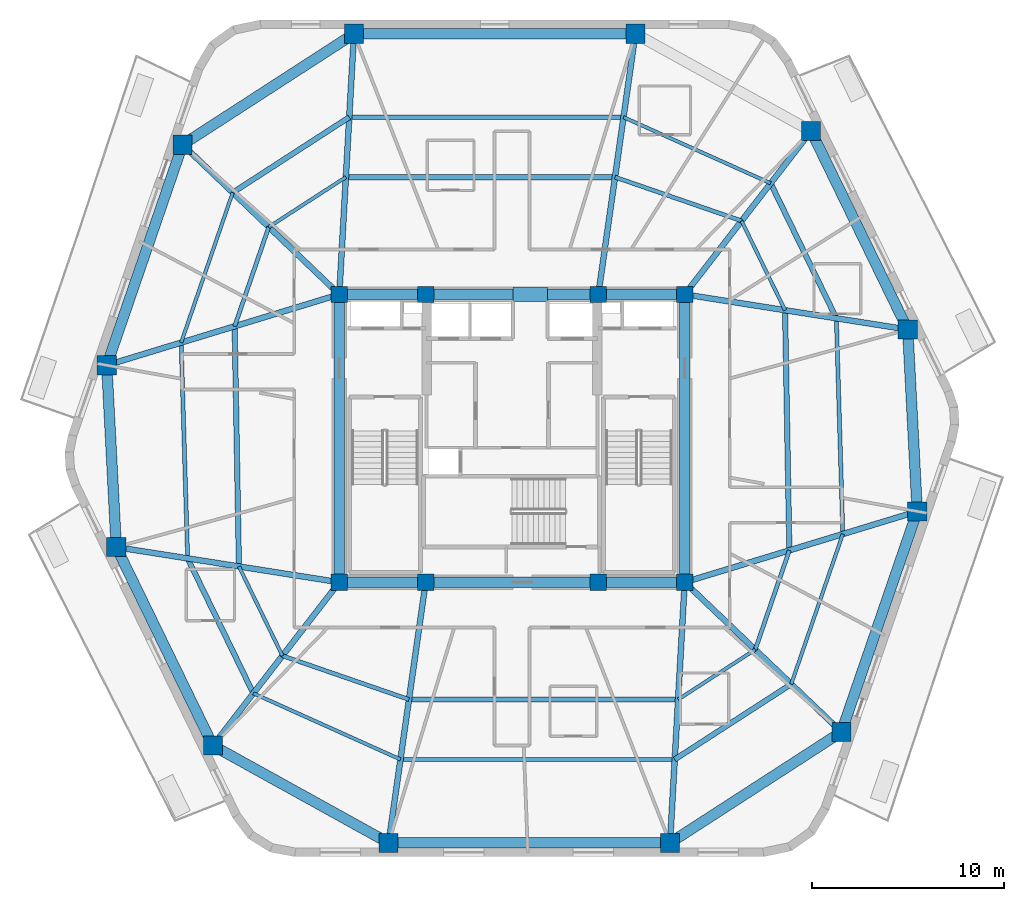
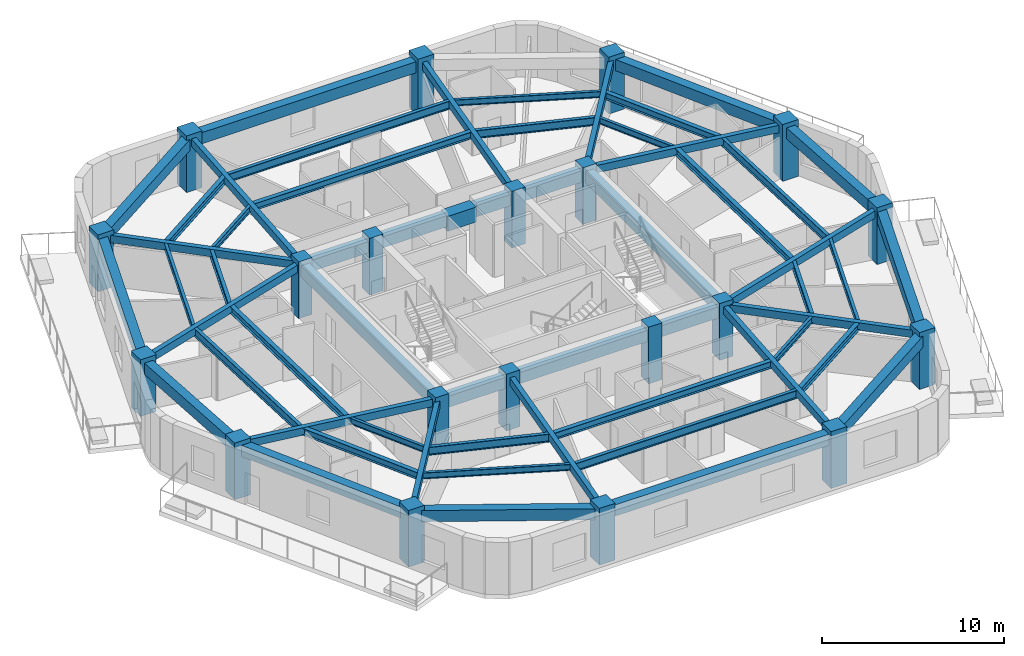
# One storey, part 1 of 9: 56 beams, 20 columns.
"""IFC4 building model written with IfcOpenShell, lengths in metres."""

from ifc_helpers import new_model, si_unit, direction, frame, origin, origin_2d, place, context, subcontext, project, spatial, rectangle, i_section, extrude, material, material_profile, profile_set, type_object, element, save


model = new_model("IFC4")

# Units and contexts
model_context = context("Model", 3, precision=1e-05, world=origin(), true_north=direction((0.0, 1.0)))
body_context = subcontext(model_context, "Body", "Model", "MODEL_VIEW")
ifc_project = project(units=[si_unit("LENGTHUNIT", "METRE"), si_unit("AREAUNIT", "SQUARE_METRE"), si_unit("VOLUMEUNIT", "CUBIC_METRE"), si_unit("PLANEANGLEUNIT", "RADIAN"), si_unit("MASSUNIT", "GRAM", prefix="KILO")], contexts=[model_context])

# Site, building, storey
site_placement = place(None, origin())
site = spatial("IfcSite", under=ifc_project, at=site_placement, CompositionType="ELEMENT")
building_placement = place(site_placement, origin())
building = spatial("IfcBuilding", under=site, at=building_placement, Name="Kilnhurst Terrace Hotel", CompositionType="ELEMENT")
storey_placement = place(building_placement, frame((0.0, 0.0, 236.89990234375)))
storey = spatial("IfcBuildingStorey", under=building, at=storey_placement, Name="L59", CompositionType="ELEMENT", Elevation=236.89990234375)

# Columns
ifc_material_1 = material(Name="Concrete C60/75", Category="concrete")
ifc_material_profile_1 = material_profile(ifc_material_1, rectangle(XDim=1.0, YDim=1.0, at=origin_2d()), Name="RC1000X1000")
ifc_profile_set_1 = profile_set([ifc_material_profile_1], Name="Concrete C60/75")
column_type_1 = type_object("IfcColumnType", Name="COL-RC-1000", PredefinedType="COLUMN", material=ifc_profile_set_1)
for number, where, z_axis, x_axis, name in (
    (1, (-6.429931640625, -21.080078125, 0.0), (0.0, 0.0, 1.0), (1.0, 0.0, 0.0), "L59 Structural Column PC-F11"),
    (2, (8.236083984375, -21.080078125, 0.0), (0.0, 0.0, 1.0), (1.0, 0.0, 0.0), "L59 Structural Column PC-F12"),
    (3, (17.166015625, -15.303955078125, 0.0), (0.0, 0.0, 1.0), (1.0, 0.0, 0.0), "L59 Structural Column PC-F21"),
    (4, (21.117919921875, -3.806884765625, 0.0), (0.0, 0.0, 1.0), (1.0, 0.0, 0.0), "L59 Structural Column PC-F22"),
    (5, (20.6220703125, 5.669921875, 0.0), (0.0, 0.0, 1.0), (1.0, 0.0, 0.0), "L59 Structural Column PC-F31"),
    (6, (15.5869140625, 16.012939453125, 0.0), (0.0, 0.0, 1.0), (1.0, 0.0, 0.0), "L59 Structural Column PC-F32"),
    (7, (6.429931640625, 21.080078125, 0.0), (0.0, 0.0, 1.0), (1.0, 0.0, 0.0), "L59 Structural Column PC-F41"),
    (8, (-8.236083984375, 21.080078125, 0.0), (0.0, 0.0, 1.0), (1.0, 0.0, 0.0), "L59 Structural Column PC-F42"),
    (9, (-17.166015625, 15.303955078125, 0.0), (0.0, 0.0, 1.0), (1.0, 0.0, 0.0), "L59 Structural Column PC-F51"),
    (10, (-21.117919921875, 3.806884765625, 0.0), (0.0, 0.0, 1.0), (1.0, 0.0, 0.0), "L59 Structural Column PC-F52"),
    (11, (-20.6220703125, -5.669921875, 0.0), (0.0, 0.0, 1.0), (1.0, 0.0, 0.0), "L59 Structural Column PC-F61"),
    (12, (-15.5869140625, -16.012939453125, 0.0), (0.0, 0.0, 1.0), (1.0, 0.0, 0.0), "L59 Structural Column PC-F62"),
):
    element("IfcColumn", number, at=place(storey_placement, frame(where, z_axis=z_axis, x_axis=x_axis)), inside=storey, type_object=column_type_1, Name=name, PredefinedType="COLUMN", context=body_context, shape_type="SweptSolid", body=[
        extrude(rectangle(XDim=1.0, YDim=1.0, at=origin_2d()), origin(), (0.0, 0.0, 1.0), 3.800048828125),
    ])
ifc_material_profile_2 = material_profile(ifc_material_1, rectangle(XDim=0.85009765625, YDim=0.85009765625, at=origin_2d()), Name="RC850X850")
ifc_profile_set_2 = profile_set([ifc_material_profile_2], Name="Concrete C60/75")
column_type_2 = type_object("IfcColumnType", Name="COL-RC-850", PredefinedType="COLUMN", material=ifc_profile_set_2)
for number, where, z_axis, x_axis, name in (
    (13, (-9.0, -7.5, 0.0), (0.0, 0.0, 1.0), (1.0, 0.0, 0.0), "L59 Structural Column CC-SW"),
    (14, (-4.5, -7.5, 0.0), (0.0, 0.0, 1.0), (1.0, 0.0, 0.0), "L59 Structural Column CC-SC1"),
    (15, (4.5, -7.5, 0.0), (0.0, 0.0, 1.0), (1.0, 0.0, 0.0), "L59 Structural Column CC-SC2"),
    (16, (9.0, -7.5, 0.0), (0.0, 0.0, 1.0), (1.0, 0.0, 0.0), "L59 Structural Column CC-SE"),
    (17, (9.0, 7.5, 0.0), (0.0, 0.0, 1.0), (1.0, 0.0, 0.0), "L59 Structural Column CC-NE"),
    (18, (4.5, 7.5, 0.0), (0.0, 0.0, 1.0), (1.0, 0.0, 0.0), "L59 Structural Column CC-NC2"),
    (19, (-4.5, 7.5, 0.0), (0.0, 0.0, 1.0), (1.0, 0.0, 0.0), "L59 Structural Column CC-NC1"),
    (20, (-9.0, 7.5, 0.0), (0.0, 0.0, 1.0), (1.0, 0.0, 0.0), "L59 Structural Column CC-NW"),
):
    element("IfcColumn", number, at=place(storey_placement, frame(where, z_axis=z_axis, x_axis=x_axis)), inside=storey, type_object=column_type_2, Name=name, PredefinedType="COLUMN", context=body_context, shape_type="SweptSolid", body=[
        extrude(rectangle(XDim=0.85009765625, YDim=0.85009765625, at=origin_2d()), origin(), (0.0, 0.0, 1.0), 3.800048828125),
    ])

# Beams
ifc_material_2 = material(Name="Concrete C50/60", Category="concrete")
ifc_material_profile_3 = material_profile(ifc_material_2, rectangle(XDim=0.300048828125, YDim=0.5, at=origin_2d()), Name="RC300X500")
ifc_profile_set_3 = profile_set([ifc_material_profile_3], Name="Concrete C50/60")
beam_type_1 = type_object("IfcBeamType", Name="BM-RAD-300X500", PredefinedType="BEAM", material=ifc_profile_set_3)
beam_1_placement = place(storey_placement, frame((-4.5, -7.5, 3.25), z_axis=(-0.140701170889, -0.990052109997, 0.0), x_axis=(0.990052109997, -0.140701170889, 0.0)))
element("IfcBeam", 21, at=beam_1_placement, inside=storey, type_object=beam_type_1, Name="L59 Radial Floor Beam 1", PredefinedType="BEAM", context=body_context, shape_type="SweptSolid", body=[
    extrude(rectangle(XDim=0.300048828125, YDim=0.5, at=origin_2d()), origin(), (0.0, 0.0, 1.0), 13.716552734375),
])
beam_2_placement = place(storey_placement, frame((9.0, -7.5, 3.25), z_axis=(-0.056163905291, -0.998421562138, 0.0), x_axis=(0.998421562138, -0.056163905291, 0.0)))
element("IfcBeam", 22, at=beam_2_placement, inside=storey, type_object=beam_type_1, Name="L59 Radial Floor Beam 2", PredefinedType="BEAM", context=body_context, shape_type="SweptSolid", body=[
    extrude(rectangle(XDim=0.300048828125, YDim=0.5, at=origin_2d()), origin(), (0.0, 0.0, 1.0), 13.6015625),
])
beam_3_placement = place(storey_placement, frame((9.0, -7.5, 3.25), z_axis=(0.722952064528, -0.690898192497, 0.0), x_axis=(0.690898192497, 0.722952064528, 0.0)))
element("IfcBeam", 23, at=beam_3_placement, inside=storey, type_object=beam_type_1, Name="L59 Radial Floor Beam 3", PredefinedType="BEAM", context=body_context, shape_type="SweptSolid", body=[
    extrude(rectangle(XDim=0.300048828125, YDim=0.5, at=origin_2d()), origin(), (0.0, 0.0, 1.0), 11.29541015625),
])
beam_4_placement = place(storey_placement, frame((9.0, -7.5, 3.25), z_axis=(0.956562713724, 0.291526627793, 0.0), x_axis=(-0.291526627793, 0.956562713724, 0.0)))
element("IfcBeam", 24, at=beam_4_placement, inside=storey, type_object=beam_type_1, Name="L59 Radial Floor Beam 4", PredefinedType="BEAM", context=body_context, shape_type="SweptSolid", body=[
    extrude(rectangle(XDim=0.300048828125, YDim=0.5, at=origin_2d()), origin(), (0.0, 0.0, 1.0), 12.668212890625),
])
beam_5_placement = place(storey_placement, frame((9.0, 7.5, 3.25), z_axis=(0.987828160163, -0.155549111179, 0.0), x_axis=(0.155549111179, 0.987828160163, 0.0)))
element("IfcBeam", 25, at=beam_5_placement, inside=storey, type_object=beam_type_1, Name="L59 Radial Floor Beam 5", PredefinedType="BEAM", context=body_context, shape_type="SweptSolid", body=[
    extrude(rectangle(XDim=0.300048828125, YDim=0.5, at=origin_2d()), origin(), (0.0, 0.0, 1.0), 11.765380859375),
])
beam_6_placement = place(storey_placement, frame((9.0, 7.5, 3.25), z_axis=(0.611955412533, 0.790892263884, 0.0), x_axis=(-0.790892263884, 0.611955412533, 0.0)))
element("IfcBeam", 26, at=beam_6_placement, inside=storey, type_object=beam_type_1, Name="L59 Radial Floor Beam 6", PredefinedType="BEAM", context=body_context, shape_type="SweptSolid", body=[
    extrude(rectangle(XDim=0.300048828125, YDim=0.5, at=origin_2d()), origin(), (0.0, 0.0, 1.0), 10.763671875),
])
beam_7_placement = place(storey_placement, frame((4.5, 7.5, 3.25), z_axis=(0.140701170889, 0.990052109997, 0.0), x_axis=(-0.990052109997, 0.140701170889, 0.0)))
element("IfcBeam", 27, at=beam_7_placement, inside=storey, type_object=beam_type_1, Name="L59 Radial Floor Beam 7", PredefinedType="BEAM", context=body_context, shape_type="SweptSolid", body=[
    extrude(rectangle(XDim=0.300048828125, YDim=0.5, at=origin_2d()), origin(), (0.0, 0.0, 1.0), 13.716552734375),
])
beam_8_placement = place(storey_placement, frame((-9.0, 7.5, 3.25), z_axis=(0.056163905291, 0.998421562138, 0.0), x_axis=(-0.998421562138, 0.056163905291, 0.0)))
element("IfcBeam", 28, at=beam_8_placement, inside=storey, type_object=beam_type_1, Name="L59 Radial Floor Beam 8", PredefinedType="BEAM", context=body_context, shape_type="SweptSolid", body=[
    extrude(rectangle(XDim=0.300048828125, YDim=0.5, at=origin_2d()), origin(), (0.0, 0.0, 1.0), 13.6015625),
])
beam_9_placement = place(storey_placement, frame((-9.0, 7.5, 3.25), z_axis=(-0.722952064528, 0.690898192497, 0.0), x_axis=(-0.690898192497, -0.722952064528, 0.0)))
element("IfcBeam", 29, at=beam_9_placement, inside=storey, type_object=beam_type_1, Name="L59 Radial Floor Beam 9", PredefinedType="BEAM", context=body_context, shape_type="SweptSolid", body=[
    extrude(rectangle(XDim=0.300048828125, YDim=0.5, at=origin_2d()), origin(), (0.0, 0.0, 1.0), 11.29541015625),
])
beam_10_placement = place(storey_placement, frame((-9.0, 7.5, 3.25), z_axis=(-0.956562713724, -0.291526627793, 0.0), x_axis=(0.291526627793, -0.956562713724, 0.0)))
element("IfcBeam", 30, at=beam_10_placement, inside=storey, type_object=beam_type_1, Name="L59 Radial Floor Beam 10", PredefinedType="BEAM", context=body_context, shape_type="SweptSolid", body=[
    extrude(rectangle(XDim=0.300048828125, YDim=0.5, at=origin_2d()), origin(), (0.0, 0.0, 1.0), 12.668212890625),
])
beam_11_placement = place(storey_placement, frame((-9.0, -7.5, 3.25), z_axis=(-0.987828160163, 0.155549111179, 0.0), x_axis=(-0.155549111179, -0.987828160163, 0.0)))
element("IfcBeam", 31, at=beam_11_placement, inside=storey, type_object=beam_type_1, Name="L59 Radial Floor Beam 11", PredefinedType="BEAM", context=body_context, shape_type="SweptSolid", body=[
    extrude(rectangle(XDim=0.300048828125, YDim=0.5, at=origin_2d()), origin(), (0.0, 0.0, 1.0), 11.765380859375),
])
beam_12_placement = place(storey_placement, frame((-9.0, -7.5, 3.25), z_axis=(-0.611955412533, -0.790892263884, 0.0), x_axis=(0.790892263884, -0.611955412533, 0.0)))
element("IfcBeam", 32, at=beam_12_placement, inside=storey, type_object=beam_type_1, Name="L59 Radial Floor Beam 12", PredefinedType="BEAM", context=body_context, shape_type="SweptSolid", body=[
    extrude(rectangle(XDim=0.300048828125, YDim=0.5, at=origin_2d()), origin(), (0.0, 0.0, 1.0), 10.763671875),
])
ifc_material_profile_4 = material_profile(ifc_material_2, rectangle(XDim=0.550048828125, YDim=0.75, at=origin_2d()), Name="RC550X750")
ifc_profile_set_4 = profile_set([ifc_material_profile_4], Name="Concrete C50/60")
beam_type_2 = type_object("IfcBeamType", Name="BM-SPN-550X750", PredefinedType="SPANDREL", material=ifc_profile_set_4)
beam_13_placement = place(storey_placement, frame((-9.0, 7.5, 3.125), z_axis=(1.0, 0.0, 0.0), x_axis=(0.0, 1.0, 0.0)))
element("IfcBeam", 33, at=beam_13_placement, inside=storey, type_object=beam_type_2, Name="L59 Core Tie Beam CC-NW to CC-NC1", PredefinedType="SPANDREL", context=body_context, shape_type="SweptSolid", body=[
    extrude(rectangle(XDim=0.550048828125, YDim=0.75, at=origin_2d()), origin(), (0.0, 0.0, 1.0), 4.5),
])
beam_14_placement = place(storey_placement, frame((-4.5, 7.5, 3.125), z_axis=(1.0, 0.0, 0.0), x_axis=(0.0, 1.0, 0.0)))
element("IfcBeam", 34, at=beam_14_placement, inside=storey, type_object=beam_type_2, Name="L59 Core Tie Beam CC-NC1 to CC-NC2", PredefinedType="SPANDREL", context=body_context, shape_type="SweptSolid", body=[
    extrude(rectangle(XDim=0.550048828125, YDim=0.75, at=origin_2d()), origin(), (0.0, 0.0, 1.0), 9.0),
])
for number, where, z_axis, x_axis, name in (
    (35, (4.5, 7.5, 3.125), (1.0, 0.0, 0.0), (0.0, 1.0, 0.0), "L59 Core Tie Beam CC-NC2 to CC-NE"),
    (36, (-9.0, -7.5, 3.125), (1.0, 0.0, 0.0), (0.0, 1.0, 0.0), "L59 Core Tie Beam CC-SW to CC-SC1"),
):
    element("IfcBeam", number, at=place(storey_placement, frame(where, z_axis=z_axis, x_axis=x_axis)), inside=storey, type_object=beam_type_2, Name=name, PredefinedType="SPANDREL", context=body_context, shape_type="SweptSolid", body=[
        extrude(rectangle(XDim=0.550048828125, YDim=0.75, at=origin_2d()), origin(), (0.0, 0.0, 1.0), 4.5),
    ])
beam_15_placement = place(storey_placement, frame((-4.5, -7.5, 3.125), z_axis=(1.0, 0.0, 0.0), x_axis=(0.0, 1.0, 0.0)))
element("IfcBeam", 37, at=beam_15_placement, inside=storey, type_object=beam_type_2, Name="L59 Core Tie Beam CC-SC1 to CC-SC2", PredefinedType="SPANDREL", context=body_context, shape_type="SweptSolid", body=[
    extrude(rectangle(XDim=0.550048828125, YDim=0.75, at=origin_2d()), origin(), (0.0, 0.0, 1.0), 9.0),
])
beam_16_placement = place(storey_placement, frame((4.5, -7.5, 3.125), z_axis=(1.0, 0.0, 0.0), x_axis=(0.0, 1.0, 0.0)))
element("IfcBeam", 38, at=beam_16_placement, inside=storey, type_object=beam_type_2, Name="L59 Core Tie Beam CC-SC2 to CC-SE", PredefinedType="SPANDREL", context=body_context, shape_type="SweptSolid", body=[
    extrude(rectangle(XDim=0.550048828125, YDim=0.75, at=origin_2d()), origin(), (0.0, 0.0, 1.0), 4.5),
])
for number, where, z_axis, x_axis, name in (
    (39, (-9.0, -7.5, 3.125), (0.0, 1.0, 0.0), (-1.0, 0.0, 0.0), "L59 Core Tie Beam CC-SW to CC-NW"),
    (40, (9.0, -7.5, 3.125), (0.0, 1.0, 0.0), (-1.0, 0.0, 0.0), "L59 Core Tie Beam CC-SE to CC-NE"),
):
    element("IfcBeam", number, at=place(storey_placement, frame(where, z_axis=z_axis, x_axis=x_axis)), inside=storey, type_object=beam_type_2, Name=name, PredefinedType="SPANDREL", context=body_context, shape_type="SweptSolid", body=[
        extrude(rectangle(XDim=0.550048828125, YDim=0.75, at=origin_2d()), origin(), (0.0, 0.0, 1.0), 15.0),
    ])
beam_17_placement = place(storey_placement, frame((-6.429931640625, -21.080078125, 3.125), z_axis=(1.0, 0.0, 0.0), x_axis=(0.0, 1.0, 0.0)))
element("IfcBeam", 41, at=beam_17_placement, inside=storey, type_object=beam_type_2, Name="L59 Perimeter Spandrel Beam 1", PredefinedType="SPANDREL", context=body_context, shape_type="SweptSolid", body=[
    extrude(rectangle(XDim=0.550048828125, YDim=0.75, at=origin_2d()), origin(), (0.0, 0.0, 1.0), 14.666015625),
])
beam_18_placement = place(storey_placement, frame((8.236083984375, -21.080078125, 3.125), z_axis=(0.839658834217, 0.543114207254, 0.0), x_axis=(-0.543114207254, 0.839658834217, 0.0)))
element("IfcBeam", 42, at=beam_18_placement, inside=storey, type_object=beam_type_2, Name="L59 Perimeter Spandrel Beam 2", PredefinedType="SPANDREL", context=body_context, shape_type="SweptSolid", body=[
    extrude(rectangle(XDim=0.550048828125, YDim=0.75, at=origin_2d()), origin(), (0.0, 0.0, 1.0), 10.63525390625),
])
beam_19_placement = place(storey_placement, frame((17.166015625, -15.303955078125, 3.125), z_axis=(0.325064053802, 0.94569200109, 0.0), x_axis=(-0.94569200109, 0.325064053802, 0.0)))
element("IfcBeam", 43, at=beam_19_placement, inside=storey, type_object=beam_type_2, Name="L59 Perimeter Spandrel Beam 3", PredefinedType="SPANDREL", context=body_context, shape_type="SweptSolid", body=[
    extrude(rectangle(XDim=0.550048828125, YDim=0.75, at=origin_2d()), origin(), (0.0, 0.0, 1.0), 12.1572265625),
])
beam_20_placement = place(storey_placement, frame((21.117919921875, -3.806884765625, 3.125), z_axis=(-0.052250962837, 0.998633985443, 0.0), x_axis=(-0.998633985443, -0.052250962837, 0.0)))
element("IfcBeam", 44, at=beam_20_placement, inside=storey, type_object=beam_type_2, Name="L59 Perimeter Spandrel Beam 4", PredefinedType="SPANDREL", context=body_context, shape_type="SweptSolid", body=[
    extrude(rectangle(XDim=0.550048828125, YDim=0.75, at=origin_2d()), origin(), (0.0, 0.0, 1.0), 9.48974609375),
])
beam_21_placement = place(storey_placement, frame((20.6220703125, 5.669921875, 3.125), z_axis=(-0.437705964683, 0.899118172701, 0.0), x_axis=(-0.899118172701, -0.437705964683, 0.0)))
element("IfcBeam", 45, at=beam_21_placement, inside=storey, type_object=beam_type_2, Name="L59 Perimeter Spandrel Beam 5", PredefinedType="SPANDREL", context=body_context, shape_type="SweptSolid", body=[
    extrude(rectangle(XDim=0.550048828125, YDim=0.75, at=origin_2d()), origin(), (0.0, 0.0, 1.0), 11.50341796875),
])
beam_22_placement = place(storey_placement, frame((6.429931640625, 21.080078125, 3.125), z_axis=(-1.0, 0.0, 0.0), x_axis=(0.0, -1.0, 0.0)))
element("IfcBeam", 46, at=beam_22_placement, inside=storey, type_object=beam_type_2, Name="L59 Perimeter Spandrel Beam 7", PredefinedType="SPANDREL", context=body_context, shape_type="SweptSolid", body=[
    extrude(rectangle(XDim=0.550048828125, YDim=0.75, at=origin_2d()), origin(), (0.0, 0.0, 1.0), 14.666015625),
])
beam_23_placement = place(storey_placement, frame((-8.236083984375, 21.080078125, 3.125), z_axis=(-0.839658834217, -0.543114207254, 0.0), x_axis=(0.543114207254, -0.839658834217, 0.0)))
element("IfcBeam", 47, at=beam_23_placement, inside=storey, type_object=beam_type_2, Name="L59 Perimeter Spandrel Beam 8", PredefinedType="SPANDREL", context=body_context, shape_type="SweptSolid", body=[
    extrude(rectangle(XDim=0.550048828125, YDim=0.75, at=origin_2d()), origin(), (0.0, 0.0, 1.0), 10.63525390625),
])
beam_24_placement = place(storey_placement, frame((-17.166015625, 15.303955078125, 3.125), z_axis=(-0.325064053802, -0.94569200109, 0.0), x_axis=(0.94569200109, -0.325064053802, 0.0)))
element("IfcBeam", 48, at=beam_24_placement, inside=storey, type_object=beam_type_2, Name="L59 Perimeter Spandrel Beam 9", PredefinedType="SPANDREL", context=body_context, shape_type="SweptSolid", body=[
    extrude(rectangle(XDim=0.550048828125, YDim=0.75, at=origin_2d()), origin(), (0.0, 0.0, 1.0), 12.1572265625),
])
beam_25_placement = place(storey_placement, frame((-21.117919921875, 3.806884765625, 3.125), z_axis=(0.052250962837, -0.998633985443, 0.0), x_axis=(0.998633985443, 0.052250962837, 0.0)))
element("IfcBeam", 49, at=beam_25_placement, inside=storey, type_object=beam_type_2, Name="L59 Perimeter Spandrel Beam 10", PredefinedType="SPANDREL", context=body_context, shape_type="SweptSolid", body=[
    extrude(rectangle(XDim=0.550048828125, YDim=0.75, at=origin_2d()), origin(), (0.0, 0.0, 1.0), 9.48974609375),
])
beam_26_placement = place(storey_placement, frame((-20.6220703125, -5.669921875, 3.125), z_axis=(0.437705964683, -0.899118172701, 0.0), x_axis=(0.899118172701, 0.437705964683, 0.0)))
element("IfcBeam", 50, at=beam_26_placement, inside=storey, type_object=beam_type_2, Name="L59 Perimeter Spandrel Beam 11", PredefinedType="SPANDREL", context=body_context, shape_type="SweptSolid", body=[
    extrude(rectangle(XDim=0.550048828125, YDim=0.75, at=origin_2d()), origin(), (0.0, 0.0, 1.0), 11.50341796875),
])
beam_27_placement = place(storey_placement, frame((-15.5869140625, -16.012939453125, 3.125), z_axis=(0.874970333121, -0.484176534085, 0.0), x_axis=(0.484176534085, 0.874970333121, 0.0)))
element("IfcBeam", 51, at=beam_27_placement, inside=storey, type_object=beam_type_2, Name="L59 Perimeter Spandrel Beam 12", PredefinedType="SPANDREL", context=body_context, shape_type="SweptSolid", body=[
    extrude(rectangle(XDim=0.550048828125, YDim=0.75, at=origin_2d()), origin(), (0.0, 0.0, 1.0), 10.465576171875),
])
ifc_material_3 = material(Name="Steel ASTM A992 Grade 50", Category="steel")
ifc_material_profile_5 = material_profile(ifc_material_3, i_section(OverallWidth=0.180908203125, OverallDepth=0.417236328125, WebThickness=0.010986328125, FlangeThickness=0.018310546875, at=origin_2d()), Name="W16X57")
ifc_profile_set_5 = profile_set([ifc_material_profile_5], Name="Steel ASTM A992 Grade 50")
beam_type_3 = type_object("IfcBeamType", Name="JST-STL-W16X57", PredefinedType="JOIST", material=ifc_profile_set_5)
beam_28_placement = place(storey_placement, frame((14.552978515625, -12.806640625, 3.291015625), z_axis=(0.325064911916, 0.945691706129, 0.0), x_axis=(-0.945691706129, 0.325064911916, 0.0)))
element("IfcBeam", 52, at=beam_28_placement, inside=storey, type_object=beam_type_3, Name="L59 Secondary Floor Steel Joist OUT.3", PredefinedType="JOIST", context=body_context, shape_type="SweptSolid", body=[
    extrude(i_section(OverallWidth=0.180908203125, OverallDepth=0.417236328125, WebThickness=0.010986328125, FlangeThickness=0.018310546875, at=origin_2d()), origin(), (0.0, 0.0, 1.0), 8.266845703125),
])
beam_29_placement = place(storey_placement, frame((13.479248046875, 13.288818359375, 3.291015625), z_axis=(-0.912120852375, 0.409921395713, 0.0), x_axis=(-0.409921395713, -0.912120852375, 0.0)))
element("IfcBeam", 53, at=beam_29_placement, inside=storey, type_object=beam_type_3, Name="L59 Secondary Floor Steel Joist OUT.6", PredefinedType="JOIST", context=body_context, shape_type="SweptSolid", body=[
    extrude(i_section(OverallWidth=0.180908203125, OverallDepth=0.417236328125, WebThickness=0.010986328125, FlangeThickness=0.018310546875, at=origin_2d()), origin(), (0.0, 0.0, 1.0), 8.405517578125),
])
beam_30_placement = place(storey_placement, frame((-14.552978515625, 12.806640625, 3.291015625), z_axis=(-0.325064911916, -0.945691706129, 0.0), x_axis=(0.945691706129, -0.325064911916, 0.0)))
element("IfcBeam", 54, at=beam_30_placement, inside=storey, type_object=beam_type_3, Name="L59 Secondary Floor Steel Joist OUT.9", PredefinedType="JOIST", context=body_context, shape_type="SweptSolid", body=[
    extrude(i_section(OverallWidth=0.180908203125, OverallDepth=0.417236328125, WebThickness=0.010986328125, FlangeThickness=0.018310546875, at=origin_2d()), origin(), (0.0, 0.0, 1.0), 8.266845703125),
])
beam_31_placement = place(storey_placement, frame((-13.479248046875, -13.288818359375, 3.291015625), z_axis=(0.912120852375, -0.409921395713, 0.0), x_axis=(0.409921395713, 0.912120852375, 0.0)))
element("IfcBeam", 55, at=beam_31_placement, inside=storey, type_object=beam_type_3, Name="L59 Secondary Floor Steel Joist OUT.12", PredefinedType="JOIST", context=body_context, shape_type="SweptSolid", body=[
    extrude(i_section(OverallWidth=0.180908203125, OverallDepth=0.417236328125, WebThickness=0.010986328125, FlangeThickness=0.018310546875, at=origin_2d()), origin(), (0.0, 0.0, 1.0), 8.405517578125),
])
beam_32_placement = place(storey_placement, frame((8.65625, -13.611083984375, 3.291015625), z_axis=(0.839653632344, 0.543122249306, 0.0), x_axis=(-0.543122249306, 0.839653632344, 0.0)))
element("IfcBeam", 56, at=beam_32_placement, inside=storey, type_object=beam_type_3, Name="L59 Secondary Floor Steel Joist IN.2", PredefinedType="JOIST", context=body_context, shape_type="SweptSolid", body=[
    extrude(i_section(OverallWidth=0.180908203125, OverallDepth=0.417236328125, WebThickness=0.010986328125, FlangeThickness=0.018310546875, at=origin_2d()), origin(), (0.0, 0.0, 1.0), 4.785888671875),
])
beam_33_placement = place(storey_placement, frame((14.22998046875, 6.676513671875, 3.291015625), z_axis=(-0.437718230281, 0.899112201496, 0.0), x_axis=(-0.899112201496, -0.437718230281, 0.0)))
element("IfcBeam", 57, at=beam_33_placement, inside=storey, type_object=beam_type_3, Name="L59 Secondary Floor Steel Joist IN.5", PredefinedType="JOIST", context=body_context, shape_type="SweptSolid", body=[
    extrude(i_section(OverallWidth=0.180908203125, OverallDepth=0.417236328125, WebThickness=0.010986328125, FlangeThickness=0.018310546875, at=origin_2d()), origin(), (0.0, 0.0, 1.0), 5.176513671875),
])
beam_34_placement = place(storey_placement, frame((-8.65625, 13.611083984375, 3.291015625), z_axis=(-0.839653632344, -0.543122249306, 0.0), x_axis=(0.543122249306, -0.839653632344, 0.0)))
element("IfcBeam", 58, at=beam_34_placement, inside=storey, type_object=beam_type_3, Name="L59 Secondary Floor Steel Joist IN.8", PredefinedType="JOIST", context=body_context, shape_type="SweptSolid", body=[
    extrude(i_section(OverallWidth=0.180908203125, OverallDepth=0.417236328125, WebThickness=0.010986328125, FlangeThickness=0.018310546875, at=origin_2d()), origin(), (0.0, 0.0, 1.0), 4.785888671875),
])
beam_35_placement = place(storey_placement, frame((-14.22998046875, -6.676513671875, 3.291015625), z_axis=(0.437718230281, -0.899112201496, 0.0), x_axis=(0.899112201496, 0.437718230281, 0.0)))
element("IfcBeam", 59, at=beam_35_placement, inside=storey, type_object=beam_type_3, Name="L59 Secondary Floor Steel Joist IN.11", PredefinedType="JOIST", context=body_context, shape_type="SweptSolid", body=[
    extrude(i_section(OverallWidth=0.180908203125, OverallDepth=0.417236328125, WebThickness=0.010986328125, FlangeThickness=0.018310546875, at=origin_2d()), origin(), (0.0, 0.0, 1.0), 5.176513671875),
])
ifc_material_profile_6 = material_profile(ifc_material_3, i_section(OverallWidth=0.279296875, OverallDepth=0.462890625, WebThickness=0.0107421875, FlangeThickness=0.017333984375, at=origin_2d()), Name="W18X76")
ifc_profile_set_6 = profile_set([ifc_material_profile_6], Name="Steel ASTM A992 Grade 50")
beam_type_4 = type_object("IfcBeamType", Name="JST-STL-W18X76", PredefinedType="JOIST", material=ifc_profile_set_6)
beam_36_placement = place(storey_placement, frame((8.48046875, -16.734375, 3.26806640625), z_axis=(0.839667054453, 0.543101498494, 0.0), x_axis=(-0.543101498494, 0.839667054453, 0.0)))
element("IfcBeam", 60, at=beam_36_placement, inside=storey, type_object=beam_type_4, Name="L59 Secondary Floor Steel Joist OUT.2", PredefinedType="JOIST", context=body_context, shape_type="SweptSolid", body=[
    extrude(i_section(OverallWidth=0.279296875, OverallDepth=0.462890625, WebThickness=0.0107421875, FlangeThickness=0.017333984375, at=origin_2d()), origin(), (0.0, 0.0, 1.0), 7.23193359375),
])
beam_37_placement = place(storey_placement, frame((16.903076171875, 6.255615234375, 3.26806640625), z_axis=(-0.437700347277, 0.899120907328, 0.0), x_axis=(-0.899120907328, -0.437700347277, 0.0)))
element("IfcBeam", 61, at=beam_37_placement, inside=storey, type_object=beam_type_4, Name="L59 Secondary Floor Steel Joist OUT.5", PredefinedType="JOIST", context=body_context, shape_type="SweptSolid", body=[
    extrude(i_section(OverallWidth=0.279296875, OverallDepth=0.462890625, WebThickness=0.0107421875, FlangeThickness=0.017333984375, at=origin_2d()), origin(), (0.0, 0.0, 1.0), 7.822265625),
])
beam_38_placement = place(storey_placement, frame((-8.48046875, 16.734375, 3.26806640625), z_axis=(-0.839667054453, -0.543101498494, 0.0), x_axis=(0.543101498494, -0.839667054453, 0.0)))
element("IfcBeam", 62, at=beam_38_placement, inside=storey, type_object=beam_type_4, Name="L59 Secondary Floor Steel Joist OUT.8", PredefinedType="JOIST", context=body_context, shape_type="SweptSolid", body=[
    extrude(i_section(OverallWidth=0.279296875, OverallDepth=0.462890625, WebThickness=0.0107421875, FlangeThickness=0.017333984375, at=origin_2d()), origin(), (0.0, 0.0, 1.0), 7.23193359375),
])
beam_39_placement = place(storey_placement, frame((-16.903076171875, -6.255615234375, 3.26806640625), z_axis=(0.437700347277, -0.899120907328, 0.0), x_axis=(0.899120907328, 0.437700347277, 0.0)))
element("IfcBeam", 63, at=beam_39_placement, inside=storey, type_object=beam_type_4, Name="L59 Secondary Floor Steel Joist OUT.11", PredefinedType="JOIST", context=body_context, shape_type="SweptSolid", body=[
    extrude(i_section(OverallWidth=0.279296875, OverallDepth=0.462890625, WebThickness=0.0107421875, FlangeThickness=0.017333984375, at=origin_2d()), origin(), (0.0, 0.0, 1.0), 7.822265625),
])
beam_40_placement = place(storey_placement, frame((-5.368408203125, -13.611083984375, 3.26806640625), z_axis=(1.0, 0.0, 0.0), x_axis=(0.0, 1.0, 0.0)))
element("IfcBeam", 64, at=beam_40_placement, inside=storey, type_object=beam_type_4, Name="L59 Secondary Floor Steel Joist IN.1", PredefinedType="JOIST", context=body_context, shape_type="SweptSolid", body=[
    extrude(i_section(OverallWidth=0.279296875, OverallDepth=0.462890625, WebThickness=0.0107421875, FlangeThickness=0.017333984375, at=origin_2d()), origin(), (0.0, 0.0, 1.0), 14.024658203125),
])
beam_41_placement = place(storey_placement, frame((14.453125, -5.838134765625, 3.26806640625), z_axis=(-0.017827833387, 0.999841071549, 0.0), x_axis=(-0.999841071549, -0.017827833387, 0.0)))
element("IfcBeam", 65, at=beam_41_placement, inside=storey, type_object=beam_type_4, Name="L59 Secondary Floor Steel Joist IN.4", PredefinedType="JOIST", context=body_context, shape_type="SweptSolid", body=[
    extrude(i_section(OverallWidth=0.279296875, OverallDepth=0.462890625, WebThickness=0.0107421875, FlangeThickness=0.017333984375, at=origin_2d()), origin(), (0.0, 0.0, 1.0), 12.5166015625),
])
beam_42_placement = place(storey_placement, frame((5.368408203125, 13.611083984375, 3.26806640625), z_axis=(-1.0, 0.0, 0.0), x_axis=(0.0, -1.0, 0.0)))
element("IfcBeam", 66, at=beam_42_placement, inside=storey, type_object=beam_type_4, Name="L59 Secondary Floor Steel Joist IN.7", PredefinedType="JOIST", context=body_context, shape_type="SweptSolid", body=[
    extrude(i_section(OverallWidth=0.279296875, OverallDepth=0.462890625, WebThickness=0.0107421875, FlangeThickness=0.017333984375, at=origin_2d()), origin(), (0.0, 0.0, 1.0), 14.024658203125),
])
beam_43_placement = place(storey_placement, frame((-14.453125, 5.838134765625, 3.26806640625), z_axis=(0.017827833387, -0.999841071549, 0.0), x_axis=(0.999841071549, 0.017827833387, 0.0)))
element("IfcBeam", 67, at=beam_43_placement, inside=storey, type_object=beam_type_4, Name="L59 Secondary Floor Steel Joist IN.10", PredefinedType="JOIST", context=body_context, shape_type="SweptSolid", body=[
    extrude(i_section(OverallWidth=0.279296875, OverallDepth=0.462890625, WebThickness=0.0107421875, FlangeThickness=0.017333984375, at=origin_2d()), origin(), (0.0, 0.0, 1.0), 12.5166015625),
])
ifc_material_profile_7 = material_profile(ifc_material_3, i_section(OverallWidth=0.2138671875, OverallDepth=0.549072265625, WebThickness=0.0146484375, FlangeThickness=0.023681640625, at=origin_2d()), Name="W21X93")
ifc_profile_set_7 = profile_set([ifc_material_profile_7], Name="Steel ASTM A992 Grade 50")
beam_type_5 = type_object("IfcBeamType", Name="JST-STL-W21X93", PredefinedType="JOIST", material=ifc_profile_set_7)
beam_44_placement = place(storey_placement, frame((-5.8125, -16.734375, 3.22509765625), z_axis=(1.0, 0.0, 0.0), x_axis=(0.0, 1.0, 0.0)))
element("IfcBeam", 68, at=beam_44_placement, inside=storey, type_object=beam_type_5, Name="L59 Secondary Floor Steel Joist OUT.1", PredefinedType="JOIST", context=body_context, shape_type="SweptSolid", body=[
    extrude(i_section(OverallWidth=0.2138671875, OverallDepth=0.549072265625, WebThickness=0.0146484375, FlangeThickness=0.023681640625, at=origin_2d()), origin(), (0.0, 0.0, 1.0), 14.29296875),
])
beam_45_placement = place(storey_placement, frame((17.240234375, -4.98876953125, 3.22509765625), z_axis=(-0.029971114202, 0.999550765251, 0.0), x_axis=(-0.999550765251, -0.029971114202, 0.0)))
element("IfcBeam", 69, at=beam_45_placement, inside=storey, type_object=beam_type_5, Name="L59 Secondary Floor Steel Joist OUT.4", PredefinedType="JOIST", context=body_context, shape_type="SweptSolid", body=[
    extrude(i_section(OverallWidth=0.2138671875, OverallDepth=0.549072265625, WebThickness=0.0146484375, FlangeThickness=0.023681640625, at=origin_2d()), origin(), (0.0, 0.0, 1.0), 11.24951171875),
])
beam_46_placement = place(storey_placement, frame((5.8125, 16.734375, 3.22509765625), z_axis=(-1.0, 0.0, 0.0), x_axis=(0.0, -1.0, 0.0)))
element("IfcBeam", 70, at=beam_46_placement, inside=storey, type_object=beam_type_5, Name="L59 Secondary Floor Steel Joist OUT.7", PredefinedType="JOIST", context=body_context, shape_type="SweptSolid", body=[
    extrude(i_section(OverallWidth=0.2138671875, OverallDepth=0.549072265625, WebThickness=0.0146484375, FlangeThickness=0.023681640625, at=origin_2d()), origin(), (0.0, 0.0, 1.0), 14.29296875),
])
beam_47_placement = place(storey_placement, frame((-17.240234375, 4.98876953125, 3.22509765625), z_axis=(0.029971114202, -0.999550765251, 0.0), x_axis=(0.999550765251, 0.029971114202, 0.0)))
element("IfcBeam", 71, at=beam_47_placement, inside=storey, type_object=beam_type_5, Name="L59 Secondary Floor Steel Joist OUT.10", PredefinedType="JOIST", context=body_context, shape_type="SweptSolid", body=[
    extrude(i_section(OverallWidth=0.2138671875, OverallDepth=0.549072265625, WebThickness=0.0146484375, FlangeThickness=0.023681640625, at=origin_2d()), origin(), (0.0, 0.0, 1.0), 11.24951171875),
])
beam_48_placement = place(storey_placement, frame((12.6748046875, -11.01171875, 3.22509765625), z_axis=(0.325063554612, 0.945692172677, 0.0), x_axis=(-0.945692172677, 0.325063554612, 0.0)))
element("IfcBeam", 72, at=beam_48_placement, inside=storey, type_object=beam_type_5, Name="L59 Secondary Floor Steel Joist IN.3", PredefinedType="JOIST", context=body_context, shape_type="SweptSolid", body=[
    extrude(i_section(OverallWidth=0.2138671875, OverallDepth=0.549072265625, WebThickness=0.0146484375, FlangeThickness=0.023681640625, at=origin_2d()), origin(), (0.0, 0.0, 1.0), 5.470703125),
])
beam_49_placement = place(storey_placement, frame((11.964111328125, 11.330810546875, 3.22509765625), z_axis=(-0.94511244231, 0.326745269884, 0.0), x_axis=(-0.326745269884, -0.94511244231, 0.0)))
element("IfcBeam", 73, at=beam_49_placement, inside=storey, type_object=beam_type_5, Name="L59 Secondary Floor Steel Joist IN.6", PredefinedType="JOIST", context=body_context, shape_type="SweptSolid", body=[
    extrude(i_section(OverallWidth=0.2138671875, OverallDepth=0.549072265625, WebThickness=0.0146484375, FlangeThickness=0.023681640625, at=origin_2d()), origin(), (0.0, 0.0, 1.0), 6.978759765625),
])
beam_50_placement = place(storey_placement, frame((-12.6748046875, 11.01171875, 3.22509765625), z_axis=(-0.325063554612, -0.945692172677, 0.0), x_axis=(0.945692172677, -0.325063554612, 0.0)))
element("IfcBeam", 74, at=beam_50_placement, inside=storey, type_object=beam_type_5, Name="L59 Secondary Floor Steel Joist IN.9", PredefinedType="JOIST", context=body_context, shape_type="SweptSolid", body=[
    extrude(i_section(OverallWidth=0.2138671875, OverallDepth=0.549072265625, WebThickness=0.0146484375, FlangeThickness=0.023681640625, at=origin_2d()), origin(), (0.0, 0.0, 1.0), 5.470703125),
])
beam_51_placement = place(storey_placement, frame((-11.964111328125, -11.330810546875, 3.22509765625), z_axis=(0.94511244231, -0.326745269884, 0.0), x_axis=(0.326745269884, 0.94511244231, 0.0)))
element("IfcBeam", 75, at=beam_51_placement, inside=storey, type_object=beam_type_5, Name="L59 Secondary Floor Steel Joist IN.12", PredefinedType="JOIST", context=body_context, shape_type="SweptSolid", body=[
    extrude(i_section(OverallWidth=0.2138671875, OverallDepth=0.549072265625, WebThickness=0.0146484375, FlangeThickness=0.023681640625, at=origin_2d()), origin(), (0.0, 0.0, 1.0), 6.978759765625),
])
ifc_material_profile_8 = material_profile(ifc_material_1, rectangle(XDim=0.75, YDim=1.0, at=origin_2d()), Name="RC750X1000")
ifc_profile_set_8 = profile_set([ifc_material_profile_8], Name="Concrete C60/75")
beam_type_6 = type_object("IfcBeamType", Name="LNT-CB-750X1000", PredefinedType="LINTEL", material=ifc_profile_set_8)
beam_52_placement = place(storey_placement, frame((0.050048828125, 7.5, 3.0), z_axis=(1.0, 0.0, 0.0), x_axis=(0.0, 1.0, 0.0)))
element("IfcBeam", 76, at=beam_52_placement, inside=storey, type_object=beam_type_6, Name="L59 North Core Coupling Link Beam", PredefinedType="LINTEL", context=body_context, shape_type="SweptSolid", body=[
    extrude(rectangle(XDim=0.75, YDim=1.0, at=origin_2d()), origin(), (0.0, 0.0, 1.0), 1.800048828125),
])

save(model, "model.ifc")
